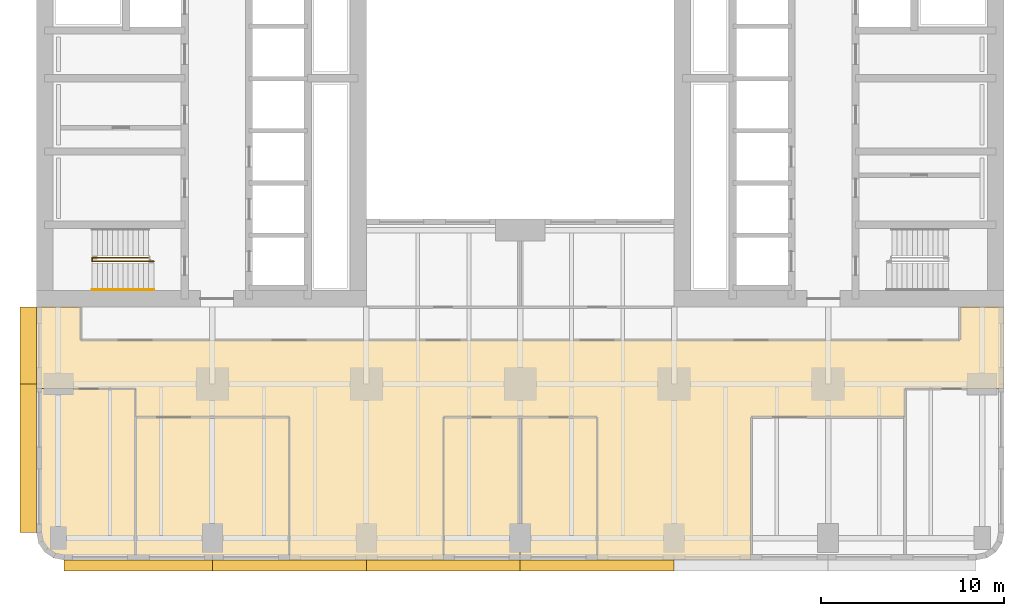
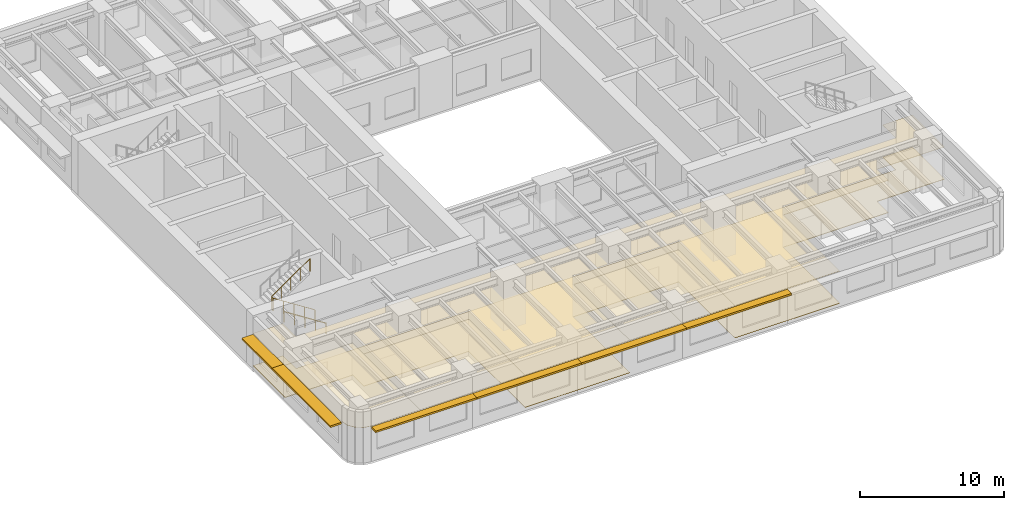
# One storey, part 9 of 14: 6 coverings, 6 shading devices, 2 railings.
"""IFC4 building model written with IfcOpenShell, lengths in metres."""

from ifc_helpers import new_model, si_unit, direction, frame, origin, origin_2d, place, context, subcontext, project, spatial, polyline, rectangle, circle, outline, extrude, material, layer, layer_set, type_object, element, save


model = new_model("IFC4")

# Units and contexts
model_context = context("Model", 3, precision=1e-05, world=origin(), true_north=direction((0.0, 1.0)))
body_context = subcontext(model_context, "Body", "Model", "MODEL_VIEW")
ifc_project = project(units=[si_unit("LENGTHUNIT", "METRE"), si_unit("AREAUNIT", "SQUARE_METRE"), si_unit("VOLUMEUNIT", "CUBIC_METRE"), si_unit("PLANEANGLEUNIT", "RADIAN"), si_unit("MASSUNIT", "GRAM", prefix="KILO")], contexts=[model_context])

# Site, building, storey
site_placement = place(None, origin())
site = spatial("IfcSite", under=ifc_project, at=site_placement, CompositionType="ELEMENT")
building_placement = place(site_placement, origin())
building = spatial("IfcBuilding", under=site, at=building_placement, Name="Claustro Exchange Tower", CompositionType="ELEMENT")
storey_placement = place(building_placement, frame((0.0, 0.0, 77.39990234375)))
storey = spatial("IfcBuildingStorey", under=building, at=storey_placement, Name="L17", CompositionType="ELEMENT", Elevation=77.39990234375)

# Coverings
ifc_material_1 = material(Name="Gypsum board ceiling", Category="gypsum board")
ifc_layer_1 = layer(ifc_material_1, 0.02490234375)
ifc_layer_set_1 = layer_set([ifc_layer_1], Name="Gypsum board ceiling")
covering_type_1 = type_object("IfcCoveringType", Name="CL2 plasterboard ceiling", PredefinedType="CEILING", material=ifc_layer_set_1)
covering_1_placement = place(storey_placement, frame((0.0, 0.0, 3.0)))
element("IfcCovering", 1, at=covering_1_placement, inside=storey, type_object=covering_type_1, Name="Ceiling CL2 L17-01", PredefinedType="CEILING", context=body_context, shape_type="SweptSolid", body=[
    extrude(outline(polyline([(4.199951171875, -1.199951171875), (12.60009765625, -1.199951171875), (12.60009765625, 6.60009765625), (4.199951171875, 6.60009765625), (4.199951171875, -1.199951171875)])), origin(), (0.0, 0.0, 1.0), 0.025146484375),
])
covering_2_placement = place(storey_placement, frame((0.0, 0.0, 3.0)))
element("IfcCovering", 2, at=covering_2_placement, inside=storey, type_object=covering_type_1, Name="Ceiling CL2 L17-02", PredefinedType="CEILING", context=body_context, shape_type="SweptSolid", body=[
    extrude(outline(polyline([(21.0, -1.199951171875), (25.199951171875, -1.199951171875), (25.199951171875, 6.60009765625), (21.0, 6.60009765625), (21.0, -1.199951171875)])), origin(), (0.0, 0.0, 1.0), 0.025146484375),
])
covering_3_placement = place(storey_placement, frame((0.0, 0.0, 3.0)))
element("IfcCovering", 3, at=covering_3_placement, inside=storey, type_object=covering_type_1, Name="Ceiling CL2 L17-03", PredefinedType="CEILING", context=body_context, shape_type="SweptSolid", body=[
    extrude(outline(polyline([(25.199951171875, -1.199951171875), (29.39990234375, -1.199951171875), (29.39990234375, 6.60009765625), (25.199951171875, 6.60009765625), (25.199951171875, -1.199951171875)])), origin(), (0.0, 0.0, 1.0), 0.025146484375),
])
covering_4_placement = place(storey_placement, frame((0.0, 0.0, 3.0)))
element("IfcCovering", 4, at=covering_4_placement, inside=storey, type_object=covering_type_1, Name="Ceiling CL2 L17-05", PredefinedType="CEILING", context=body_context, shape_type="SweptSolid", body=[
    extrude(outline(polyline([(-1.085693359375, -0.27392578125), (-0.7607421875, -0.7607421875), (-0.27392578125, -1.085693359375), (0.300048828125, -1.199951171875), (4.199951171875, -1.199951171875), (4.199951171875, 8.14990234375), (-1.199951171875, 8.14990234375), (-1.199951171875, 0.300048828125), (-1.085693359375, -0.27392578125)])), origin(), (0.0, 0.0, 1.0), 0.025146484375),
])
covering_5_placement = place(storey_placement, frame((0.0, 0.0, 3.0)))
element("IfcCovering", 5, at=covering_5_placement, inside=storey, type_object=covering_type_1, Name="Ceiling CL2 L17-07", PredefinedType="CEILING", context=body_context, shape_type="SweptSolid", body=[
    extrude(outline(polyline([(-1.199951171875, 12.60009765625), (-1.199951171875, 8.14990234375), (4.199951171875, 8.14990234375), (4.199951171875, 6.60009765625), (12.60009765625, 6.60009765625), (12.60009765625, -1.199951171875), (21.0, -1.199951171875), (21.0, 6.60009765625), (25.199951171875, 6.60009765625), (29.39990234375, 6.60009765625), (29.39990234375, -1.199951171875), (37.800048828125, -1.199951171875), (37.800048828125, 6.60009765625), (46.199951171875, 6.60009765625), (46.199951171875, 8.14990234375), (51.60009765625, 8.14990234375), (51.60009765625, 12.60009765625), (49.199951171875, 12.60009765625), (49.199951171875, 10.800048828125), (1.199951171875, 10.800048828125), (1.199951171875, 12.60009765625), (-1.199951171875, 12.60009765625)])), origin(), (0.0, 0.0, 1.0), 0.025146484375),
])

# Railings
ifc_material_2 = material(Name="Steel balustrade, painted", Category="steel")
railing_type_1 = type_object("IfcRailingType", Name="GR2 1100 steel stair guard", PredefinedType="GUARDRAIL", material=ifc_material_2)
railing_1_placement = place(storey_placement, frame((5.199951171875, 15.10009765625, 0.18017578125)))
element("IfcRailing", 6, at=railing_1_placement, inside=storey, type_object=railing_type_1, Name="Stair well guard GR2 stair STWA L17", PredefinedType="GUARDRAIL", context=body_context, shape_type="SweptSolid", body=[
    extrude(circle(Radius=0.02392578125, at=origin_2d()), frame((0.0, 0.0, 1.076171875), z_axis=(-0.841178475377, 0.0, 0.540757591313), x_axis=(0.0, -1.0, 0.0)), (0.0, 0.0, 1.0), 3.994140625),
    extrude(circle(Radius=0.02392578125, at=origin_2d()), frame((-3.35986328125, 0.0, 3.23583984375), z_axis=(0.0, 1.0, 0.0), x_axis=(-1.0, 0.0, 0.0)), (0.0, 0.0, 1.0), 0.199951171875),
    extrude(circle(Radius=0.02392578125, at=origin_2d()), frame((-3.35986328125, 0.199951171875, 3.23583984375), z_axis=(0.818728512145, 0.0, 0.574180828137), x_axis=(0.0, 1.0, 0.0)), (0.0, 0.0, 1.0), 3.76171875),
    extrude(circle(Radius=0.02099609375, at=origin_2d()), origin(), (0.0, 0.0, 1.0), 1.052001953125),
    extrude(circle(Radius=0.02099609375, at=origin_2d()), frame((-0.83984375, 0.0, 0.5400390625)), (0.0, 0.0, 1.0), 1.052001953125),
    extrude(circle(Radius=0.02099609375, at=origin_2d()), frame((-1.679931640625, 0.0, 1.080078125)), (0.0, 0.0, 1.0), 1.052001953125),
    extrude(circle(Radius=0.02099609375, at=origin_2d()), frame((-2.52001953125, 0.0, 1.619873046875)), (0.0, 0.0, 1.0), 1.052001953125),
    extrude(circle(Radius=0.02099609375, at=origin_2d()), frame((-3.35986328125, 0.0, 2.159912109375)), (0.0, 0.0, 1.0), 1.052001953125),
    extrude(circle(Radius=0.02099609375, at=origin_2d()), frame((-3.35986328125, 0.199951171875, 2.159912109375)), (0.0, 0.0, 1.0), 1.052001953125),
    extrude(circle(Radius=0.02099609375, at=origin_2d()), frame((-2.58984375, 0.199951171875, 2.699951171875)), (0.0, 0.0, 1.0), 1.052001953125),
    extrude(circle(Radius=0.02099609375, at=origin_2d()), frame((-1.81982421875, 0.199951171875, 3.23974609375)), (0.0, 0.0, 1.0), 1.052001953125),
    extrude(circle(Radius=0.02099609375, at=origin_2d()), frame((-1.050048828125, 0.199951171875, 3.77978515625)), (0.0, 0.0, 1.0), 1.052001953125),
    extrude(circle(Radius=0.02099609375, at=origin_2d()), frame((-0.280029296875, 0.199951171875, 4.31982421875)), (0.0, 0.0, 1.0), 1.052001953125),
])
ifc_material_3 = material(Name="Stainless steel tube", Category="steel")
railing_type_2 = type_object("IfcRailingType", Name="HR1 900 stair handrail", PredefinedType="HANDRAIL", material=ifc_material_3)
railing_2_placement = place(storey_placement, frame((5.199951171875, 13.56005859375, 0.18017578125)))
element("IfcRailing", 7, at=railing_2_placement, inside=storey, type_object=railing_type_2, Name="Handrail HR1 stair STWA L17", PredefinedType="HANDRAIL", context=body_context, shape_type="SweptSolid", body=[
    extrude(circle(Radius=0.02392578125, at=origin_2d()), frame((0.0, 0.0, 0.8759765625), z_axis=(-0.841178475377, 0.0, 0.540757591313), x_axis=(0.0, -1.0, 0.0)), (0.0, 0.0, 1.0), 3.994140625),
    extrude(circle(Radius=0.02099609375, at=origin_2d()), origin(), (0.0, 0.0, 1.0), 0.851806640625),
    extrude(circle(Radius=0.02099609375, at=origin_2d()), frame((-0.83984375, 0.0, 0.5400390625)), (0.0, 0.0, 1.0), 0.851806640625),
    extrude(circle(Radius=0.02099609375, at=origin_2d()), frame((-1.679931640625, 0.0, 1.080078125)), (0.0, 0.0, 1.0), 0.851806640625),
    extrude(circle(Radius=0.02099609375, at=origin_2d()), frame((-2.52001953125, 0.0, 1.619873046875)), (0.0, 0.0, 1.0), 0.851806640625),
    extrude(circle(Radius=0.02099609375, at=origin_2d()), frame((-3.35986328125, 0.0, 2.159912109375)), (0.0, 0.0, 1.0), 0.851806640625),
])

# Covering
ifc_material_4 = material(Name="Steel-encased raised floor panels on pedestals", Category="steel")
ifc_layer_2 = layer(ifc_material_4, 0.0400390625)
ifc_layer_set_2 = layer_set([ifc_layer_2], Name="Steel-encased raised floor panels on pedestals")
covering_type_2 = type_object("IfcCoveringType", Name="RF1 300 raised access floor", PredefinedType="FLOORING", material=ifc_layer_set_2)
covering_6_placement = place(storey_placement, frame((0.0, 0.0, 0.260009765625)))
element("IfcCovering", 8, at=covering_6_placement, inside=storey, type_object=covering_type_2, Name="Raised access floor RF1 L17-07", PredefinedType="FLOORING", context=body_context, shape_type="SweptSolid", body=[
    extrude(outline(polyline([(-1.199951171875, 12.60009765625), (-1.199951171875, 8.14990234375), (4.199951171875, 8.14990234375), (4.199951171875, 6.60009765625), (12.60009765625, 6.60009765625), (12.60009765625, -1.199951171875), (21.0, -1.199951171875), (21.0, 6.60009765625), (25.199951171875, 6.60009765625), (29.39990234375, 6.60009765625), (29.39990234375, -1.199951171875), (37.800048828125, -1.199951171875), (37.800048828125, 6.60009765625), (46.199951171875, 6.60009765625), (46.199951171875, 8.14990234375), (51.60009765625, 8.14990234375), (51.60009765625, 12.60009765625), (49.199951171875, 12.60009765625), (49.199951171875, 10.800048828125), (1.199951171875, 10.800048828125), (1.199951171875, 12.60009765625), (-1.199951171875, 12.60009765625)])), origin(), (0.0, 0.0, 1.0), 0.0400390625),
])

# Shading devices
ifc_material_5 = material(Name="Concrete HA-40 (C40/50), precast, white cement, acid-etched", Category="concrete")
ifc_layer_3 = layer(ifc_material_5, 0.14990234375)
ifc_layer_set_3 = layer_set([ifc_layer_3], Name="Concrete HA-40 (C40/50), precast, white cement, acid-etched")
shading_device_type_1 = type_object("IfcShadingDeviceType", Name="SS1 600 precast concrete SUNSHADE", PredefinedType="SHUTTER", material=ifc_layer_set_3)
for number, where, z_axis, x_axis, name in (
    (9, (29.39990234375, -1.5, 2.800048828125), (0.0, 0.0, 1.0), (-1.0, 0.0, 0.0), "Precast SUNSHADE SS1 L17"),
    (10, (21.0, -1.5, 2.800048828125), (0.0, 0.0, 1.0), (-1.0, 0.0, 0.0), "Precast SUNSHADE SS1 L17"),
    (11, (12.60009765625, -1.5, 2.800048828125), (0.0, 0.0, 1.0), (-1.0, 0.0, 0.0), "Precast SUNSHADE SS1 L17"),
):
    element("IfcShadingDevice", number, at=place(storey_placement, frame(where, z_axis=z_axis, x_axis=x_axis)), inside=storey, type_object=shading_device_type_1, Name=name, PredefinedType="SHUTTER", context=body_context, shape_type="SweptSolid", body=[
        extrude(rectangle(XDim=8.39990234375, YDim=0.60009765625, at=origin_2d()), origin(), (0.0, 0.0, 1.0), 0.14990234375),
    ])
shading_device_1_placement = place(storey_placement, frame((4.357421875, -1.5, 2.800048828125), z_axis=(0.0, 0.0, 1.0), x_axis=(-1.0, 0.0, 0.0)))
element("IfcShadingDevice", 12, at=shading_device_1_placement, inside=storey, type_object=shading_device_type_1, Name="Precast SUNSHADE SS1 L17", PredefinedType="SHUTTER", context=body_context, shape_type="SweptSolid", body=[
    extrude(rectangle(XDim=8.085205078125, YDim=0.60009765625, at=origin_2d()), origin(), (0.0, 0.0, 1.0), 0.14990234375),
])
ifc_material_6 = material(Name="Concrete HA-40 (C40/50), precast, white cement, acid-etched", Category="concrete")
ifc_layer_4 = layer(ifc_material_6, 0.14990234375)
ifc_layer_set_4 = layer_set([ifc_layer_4], Name="Concrete HA-40 (C40/50), precast, white cement, acid-etched")
shading_device_type_2 = type_object("IfcShadingDeviceType", Name="SS2 900 precast concrete SUNSHADE", PredefinedType="SHUTTER", material=ifc_layer_set_4)
shading_device_2_placement = place(storey_placement, frame((-1.64990234375, 4.357421875, 2.800048828125), z_axis=(0.0, 0.0, 1.0), x_axis=(0.0, 1.0, 0.0)))
element("IfcShadingDevice", 13, at=shading_device_2_placement, inside=storey, type_object=shading_device_type_2, Name="Precast SUNSHADE SS2 L17", PredefinedType="SHUTTER", context=body_context, shape_type="SweptSolid", body=[
    extrude(rectangle(XDim=8.085205078125, YDim=0.89990234375, at=origin_2d()), origin(), (0.0, 0.0, 1.0), 0.14990234375),
])
shading_device_3_placement = place(storey_placement, frame((-1.64990234375, 10.5, 2.800048828125), z_axis=(0.0, 0.0, 1.0), x_axis=(0.0, 1.0, 0.0)))
element("IfcShadingDevice", 14, at=shading_device_3_placement, inside=storey, type_object=shading_device_type_2, Name="Precast SUNSHADE SS2 L17", PredefinedType="SHUTTER", context=body_context, shape_type="SweptSolid", body=[
    extrude(rectangle(XDim=4.199951171875, YDim=0.89990234375, at=origin_2d()), origin(), (0.0, 0.0, 1.0), 0.14990234375),
])

save(model, "model.ifc")
